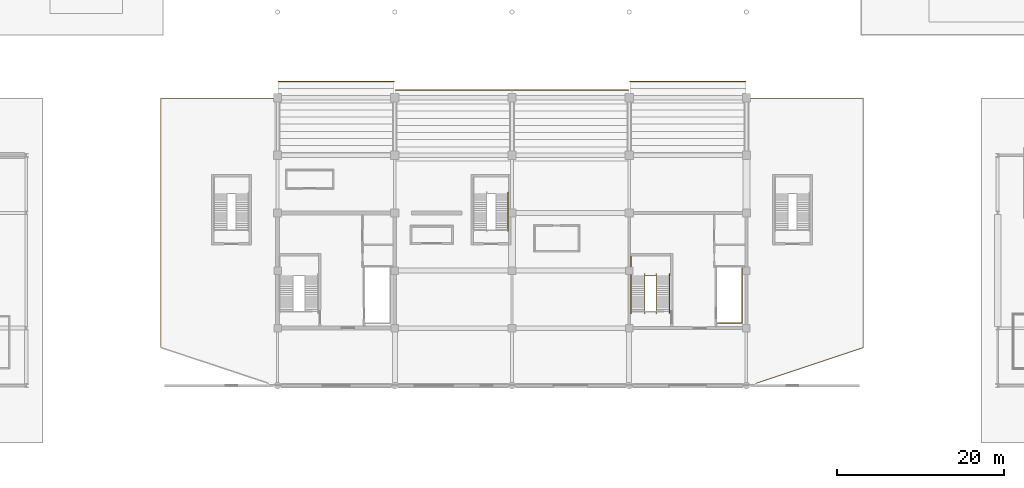
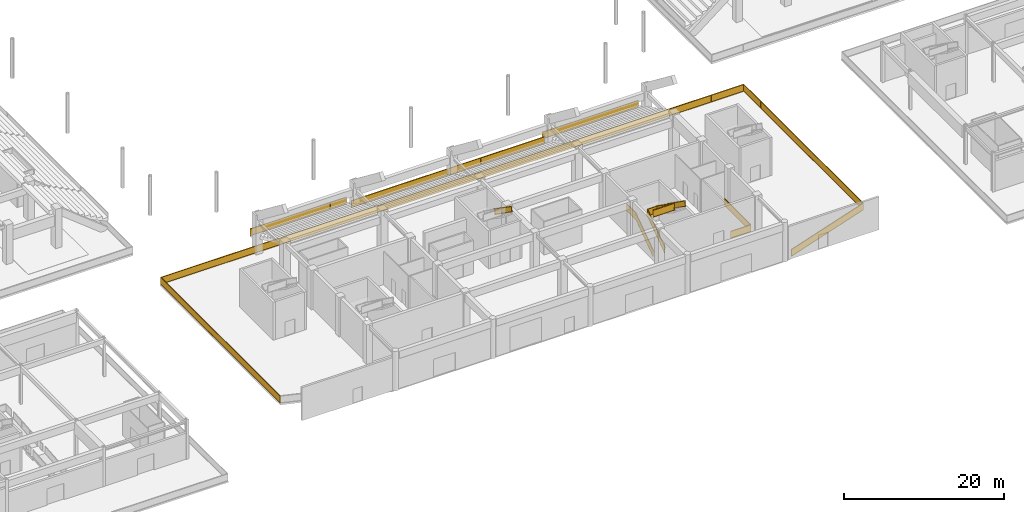
# One storey, part 60 of 73: 10 railings.
"""IFC4 building model written with IfcOpenShell, lengths in metres."""

from ifc_helpers import new_model, si_unit, direction, frame, origin, origin_2d, place, context, subcontext, project, spatial, rectangle, extrude, material, type_object, element, save


model = new_model("IFC4")

# Units and contexts
model_context = context("Model", 3, precision=1e-05, world=origin(), true_north=direction((0.0, 1.0)))
body_context = subcontext(model_context, "Body", "Model", "MODEL_VIEW")
ifc_project = project(units=[si_unit("LENGTHUNIT", "METRE"), si_unit("AREAUNIT", "SQUARE_METRE"), si_unit("VOLUMEUNIT", "CUBIC_METRE"), si_unit("PLANEANGLEUNIT", "RADIAN"), si_unit("MASSUNIT", "GRAM", prefix="KILO")], contexts=[model_context])

# Site, building, storey
site_placement = place(None, origin())
site = spatial("IfcSite", under=ifc_project, at=site_placement, CompositionType="ELEMENT")
building_placement = place(site_placement, origin())
building = spatial("IfcBuilding", under=site, at=building_placement, Name="Linyun Crest Stadium", CompositionType="ELEMENT")
storey_placement = place(building_placement, origin())
storey = spatial("IfcBuildingStorey", under=building, at=storey_placement, Name="L01", CompositionType="ELEMENT", Elevation=0.0)

# Railings
ifc_material_1 = material(Name="Galvanized and powder-coated steel bowl safety barrier", Category="steel")
railing_type_1 = type_object("IfcRailingType", Name="GR02", PredefinedType="GUARDRAIL", material=ifc_material_1)
for number, where, name in (
    (1, (-27.919921875, -57.800048828125, 1.25), "Bowl front safety guard GR02 61"),
    (2, (-13.919921875, -58.800048828125, 1.25), "Bowl front safety guard GR02 68"),
    (3, (0.080078125, -58.800048828125, 1.25), "Bowl front safety guard GR02 75"),
    (4, (14.080078125, -57.800048828125, 1.25), "Bowl front safety guard GR02 82"),
):
    element("IfcRailing", number, at=place(storey_placement, frame(where)), inside=storey, type_object=railing_type_1, Name=name, PredefinedType="GUARDRAIL", context=body_context, shape_type="SweptSolid", body=[
        extrude(rectangle(XDim=0.06005859375, YDim=0.06005859375, at=origin_2d()), frame((0.0, 0.0, 1.090087890625), z_axis=(1.0, 0.0, 0.0), x_axis=(0.0, 1.0, 0.0)), (0.0, 0.0, 1.0), 13.83984375),
        extrude(rectangle(XDim=0.030029296875, YDim=1.0, at=origin_2d()), frame((0.0, 0.0, 0.56005859375), z_axis=(1.0, 0.0, 0.0), x_axis=(0.0, 1.0, 0.0)), (0.0, 0.0, 1.0), 13.83984375),
        extrude(rectangle(XDim=0.06005859375, YDim=0.06005859375, at=origin_2d()), frame((0.0, 0.0, 0.030029296875), z_axis=(1.0, 0.0, 0.0), x_axis=(0.0, 1.0, 0.0)), (0.0, 0.0, 1.0), 13.83984375),
        extrude(rectangle(XDim=0.050048828125, YDim=0.050048828125, at=origin_2d()), origin(), (0.0, 0.0, 1.0), 1.1201171875),
        extrude(rectangle(XDim=0.050048828125, YDim=0.050048828125, at=origin_2d()), frame((2.306640625, 0.0, 0.0)), (0.0, 0.0, 1.0), 1.1201171875),
        extrude(rectangle(XDim=0.050048828125, YDim=0.050048828125, at=origin_2d()), frame((4.61328125, 0.0, 0.0)), (0.0, 0.0, 1.0), 1.1201171875),
        extrude(rectangle(XDim=0.050048828125, YDim=0.050048828125, at=origin_2d()), frame((6.919921875, 0.0, 0.0)), (0.0, 0.0, 1.0), 1.1201171875),
        extrude(rectangle(XDim=0.050048828125, YDim=0.050048828125, at=origin_2d()), frame((9.2265625, 0.0, 0.0)), (0.0, 0.0, 1.0), 1.1201171875),
        extrude(rectangle(XDim=0.050048828125, YDim=0.050048828125, at=origin_2d()), frame((11.533203125, 0.0, 0.0)), (0.0, 0.0, 1.0), 1.1201171875),
        extrude(rectangle(XDim=0.050048828125, YDim=0.050048828125, at=origin_2d()), frame((13.83984375, 0.0, 0.0)), (0.0, 0.0, 1.0), 1.1201171875),
    ])
railing_1_placement = place(storey_placement, frame((-41.93994140625, -89.58203125, 0.0)))
element("IfcRailing", 5, at=railing_1_placement, inside=storey, type_object=railing_type_1, Name="Slab edge balustrade GR02 239", PredefinedType="GUARDRAIL", context=body_context, shape_type="SweptSolid", body=[
    extrude(rectangle(XDim=0.06005859375, YDim=0.06005859375, at=origin_2d()), frame((0.0, 0.0, 1.090087890625), z_axis=(0.0, 1.0, 0.0), x_axis=(-1.0, 0.0, 0.0)), (0.0, 0.0, 1.0), 29.77197265625),
    extrude(rectangle(XDim=0.030029296875, YDim=1.0, at=origin_2d()), frame((0.0, 0.0, 0.56005859375), z_axis=(0.0, 1.0, 0.0), x_axis=(-1.0, 0.0, 0.0)), (0.0, 0.0, 1.0), 29.77197265625),
    extrude(rectangle(XDim=0.06005859375, YDim=0.06005859375, at=origin_2d()), frame((0.0, 0.0, 0.030029296875), z_axis=(0.0, 1.0, 0.0), x_axis=(-1.0, 0.0, 0.0)), (0.0, 0.0, 1.0), 29.77197265625),
    extrude(rectangle(XDim=0.06005859375, YDim=0.06005859375, at=origin_2d()), frame((0.0, 29.77197265625, 1.090087890625), z_axis=(1.0, 0.0, 0.0), x_axis=(0.0, 1.0, 0.0)), (0.0, 0.0, 1.0), 83.8798828125),
    extrude(rectangle(XDim=0.030029296875, YDim=1.0, at=origin_2d()), frame((0.0, 29.77197265625, 0.56005859375), z_axis=(1.0, 0.0, 0.0), x_axis=(0.0, 1.0, 0.0)), (0.0, 0.0, 1.0), 83.8798828125),
    extrude(rectangle(XDim=0.06005859375, YDim=0.06005859375, at=origin_2d()), frame((0.0, 29.77197265625, 0.030029296875), z_axis=(1.0, 0.0, 0.0), x_axis=(0.0, 1.0, 0.0)), (0.0, 0.0, 1.0), 83.8798828125),
    extrude(rectangle(XDim=0.06005859375, YDim=0.06005859375, at=origin_2d()), frame((83.8798828125, 29.77197265625, 1.090087890625), z_axis=(0.0, -1.0, 0.0), x_axis=(1.0, 0.0, 0.0)), (0.0, 0.0, 1.0), 29.77197265625),
    extrude(rectangle(XDim=0.030029296875, YDim=1.0, at=origin_2d()), frame((83.8798828125, 29.77197265625, 0.56005859375), z_axis=(0.0, -1.0, 0.0), x_axis=(1.0, 0.0, 0.0)), (0.0, 0.0, 1.0), 29.77197265625),
    extrude(rectangle(XDim=0.06005859375, YDim=0.06005859375, at=origin_2d()), frame((83.8798828125, 29.77197265625, 0.030029296875), z_axis=(0.0, -1.0, 0.0), x_axis=(1.0, 0.0, 0.0)), (0.0, 0.0, 1.0), 29.77197265625),
    extrude(rectangle(XDim=0.06005859375, YDim=0.06005859375, at=origin_2d()), frame((83.8798828125, 0.0, 1.090087890625), z_axis=(-0.948692352143, -0.316200602443, 0.0), x_axis=(0.316200602443, -0.948692352143, 0.0)), (0.0, 0.0, 1.0), 13.481689453125),
    extrude(rectangle(XDim=0.030029296875, YDim=1.0, at=origin_2d()), frame((83.8798828125, 0.0, 0.56005859375), z_axis=(-0.948692352143, -0.316200602443, 0.0), x_axis=(0.316200602443, -0.948692352143, 0.0)), (0.0, 0.0, 1.0), 13.481689453125),
    extrude(rectangle(XDim=0.06005859375, YDim=0.06005859375, at=origin_2d()), frame((83.8798828125, 0.0, 0.030029296875), z_axis=(-0.948692352143, -0.316200602443, 0.0), x_axis=(0.316200602443, -0.948692352143, 0.0)), (0.0, 0.0, 1.0), 13.481689453125),
    extrude(rectangle(XDim=0.050048828125, YDim=0.050048828125, at=origin_2d()), origin(), (0.0, 0.0, 1.0), 1.1201171875),
    extrude(rectangle(XDim=0.050048828125, YDim=0.050048828125, at=origin_2d()), frame((0.0, 4.253173828125, 0.0)), (0.0, 0.0, 1.0), 1.1201171875),
    extrude(rectangle(XDim=0.050048828125, YDim=0.050048828125, at=origin_2d()), frame((0.0, 8.50634765625, 0.0)), (0.0, 0.0, 1.0), 1.1201171875),
    extrude(rectangle(XDim=0.050048828125, YDim=0.050048828125, at=origin_2d()), frame((0.0, 12.759521484375, 0.0)), (0.0, 0.0, 1.0), 1.1201171875),
    extrude(rectangle(XDim=0.050048828125, YDim=0.050048828125, at=origin_2d()), frame((0.0, 17.012451171875, 0.0)), (0.0, 0.0, 1.0), 1.1201171875),
    extrude(rectangle(XDim=0.050048828125, YDim=0.050048828125, at=origin_2d()), frame((0.0, 21.265625, 0.0)), (0.0, 0.0, 1.0), 1.1201171875),
    extrude(rectangle(XDim=0.050048828125, YDim=0.050048828125, at=origin_2d()), frame((0.0, 25.518798828125, 0.0)), (0.0, 0.0, 1.0), 1.1201171875),
    extrude(rectangle(XDim=0.050048828125, YDim=0.050048828125, at=origin_2d()), frame((0.0, 29.77197265625, 0.0)), (0.0, 0.0, 1.0), 1.1201171875),
    extrude(rectangle(XDim=0.050048828125, YDim=0.050048828125, at=origin_2d()), frame((4.659912109375, 29.77197265625, 0.0)), (0.0, 0.0, 1.0), 1.1201171875),
    extrude(rectangle(XDim=0.050048828125, YDim=0.050048828125, at=origin_2d()), frame((9.320068359375, 29.77197265625, 0.0)), (0.0, 0.0, 1.0), 1.1201171875),
    extrude(rectangle(XDim=0.050048828125, YDim=0.050048828125, at=origin_2d()), frame((13.97998046875, 29.77197265625, 0.0)), (0.0, 0.0, 1.0), 1.1201171875),
    extrude(rectangle(XDim=0.050048828125, YDim=0.050048828125, at=origin_2d()), frame((18.639892578125, 29.77197265625, 0.0)), (0.0, 0.0, 1.0), 1.1201171875),
    extrude(rectangle(XDim=0.050048828125, YDim=0.050048828125, at=origin_2d()), frame((23.300048828125, 29.77197265625, 0.0)), (0.0, 0.0, 1.0), 1.1201171875),
    extrude(rectangle(XDim=0.050048828125, YDim=0.050048828125, at=origin_2d()), frame((27.9599609375, 29.77197265625, 0.0)), (0.0, 0.0, 1.0), 1.1201171875),
    extrude(rectangle(XDim=0.050048828125, YDim=0.050048828125, at=origin_2d()), frame((32.619873046875, 29.77197265625, 0.0)), (0.0, 0.0, 1.0), 1.1201171875),
    extrude(rectangle(XDim=0.050048828125, YDim=0.050048828125, at=origin_2d()), frame((37.280029296875, 29.77197265625, 0.0)), (0.0, 0.0, 1.0), 1.1201171875),
    extrude(rectangle(XDim=0.050048828125, YDim=0.050048828125, at=origin_2d()), frame((41.93994140625, 29.77197265625, 0.0)), (0.0, 0.0, 1.0), 1.1201171875),
    extrude(rectangle(XDim=0.050048828125, YDim=0.050048828125, at=origin_2d()), frame((46.599853515625, 29.77197265625, 0.0)), (0.0, 0.0, 1.0), 1.1201171875),
    extrude(rectangle(XDim=0.050048828125, YDim=0.050048828125, at=origin_2d()), frame((51.260009765625, 29.77197265625, 0.0)), (0.0, 0.0, 1.0), 1.1201171875),
    extrude(rectangle(XDim=0.050048828125, YDim=0.050048828125, at=origin_2d()), frame((55.919921875, 29.77197265625, 0.0)), (0.0, 0.0, 1.0), 1.1201171875),
    extrude(rectangle(XDim=0.050048828125, YDim=0.050048828125, at=origin_2d()), frame((60.579833984375, 29.77197265625, 0.0)), (0.0, 0.0, 1.0), 1.1201171875),
    extrude(rectangle(XDim=0.050048828125, YDim=0.050048828125, at=origin_2d()), frame((65.239990234375, 29.77197265625, 0.0)), (0.0, 0.0, 1.0), 1.1201171875),
    extrude(rectangle(XDim=0.050048828125, YDim=0.050048828125, at=origin_2d()), frame((69.89990234375, 29.77197265625, 0.0)), (0.0, 0.0, 1.0), 1.1201171875),
    extrude(rectangle(XDim=0.050048828125, YDim=0.050048828125, at=origin_2d()), frame((74.559814453125, 29.77197265625, 0.0)), (0.0, 0.0, 1.0), 1.1201171875),
    extrude(rectangle(XDim=0.050048828125, YDim=0.050048828125, at=origin_2d()), frame((79.219970703125, 29.77197265625, 0.0)), (0.0, 0.0, 1.0), 1.1201171875),
    extrude(rectangle(XDim=0.050048828125, YDim=0.050048828125, at=origin_2d()), frame((83.8798828125, 29.77197265625, 0.0)), (0.0, 0.0, 1.0), 1.1201171875),
    extrude(rectangle(XDim=0.050048828125, YDim=0.050048828125, at=origin_2d()), frame((83.8798828125, 25.518798828125, 0.0)), (0.0, 0.0, 1.0), 1.1201171875),
    extrude(rectangle(XDim=0.050048828125, YDim=0.050048828125, at=origin_2d()), frame((83.8798828125, 21.265625, 0.0)), (0.0, 0.0, 1.0), 1.1201171875),
    extrude(rectangle(XDim=0.050048828125, YDim=0.050048828125, at=origin_2d()), frame((83.8798828125, 17.012451171875, 0.0)), (0.0, 0.0, 1.0), 1.1201171875),
    extrude(rectangle(XDim=0.050048828125, YDim=0.050048828125, at=origin_2d()), frame((83.8798828125, 12.759521484375, 0.0)), (0.0, 0.0, 1.0), 1.1201171875),
    extrude(rectangle(XDim=0.050048828125, YDim=0.050048828125, at=origin_2d()), frame((83.8798828125, 8.50634765625, 0.0)), (0.0, 0.0, 1.0), 1.1201171875),
    extrude(rectangle(XDim=0.050048828125, YDim=0.050048828125, at=origin_2d()), frame((83.8798828125, 4.253173828125, 0.0)), (0.0, 0.0, 1.0), 1.1201171875),
    extrude(rectangle(XDim=0.050048828125, YDim=0.050048828125, at=origin_2d()), frame((83.8798828125, 0.0, 0.0)), (0.0, 0.0, 1.0), 1.1201171875),
    extrude(rectangle(XDim=0.050048828125, YDim=0.050048828125, at=origin_2d()), frame((79.616455078125, -1.4208984375, 0.0)), (0.0, 0.0, 1.0), 1.1201171875),
    extrude(rectangle(XDim=0.050048828125, YDim=0.050048828125, at=origin_2d()), frame((75.353271484375, -2.842041015625, 0.0)), (0.0, 0.0, 1.0), 1.1201171875),
    extrude(rectangle(XDim=0.050048828125, YDim=0.050048828125, at=origin_2d()), frame((71.08984375, -4.262939453125, 0.0)), (0.0, 0.0, 1.0), 1.1201171875),
])
railing_2_placement = place(storey_placement, frame((24.580078125, -86.659912109375, 0.0)))
element("IfcRailing", 6, at=railing_2_placement, inside=storey, type_object=railing_type_1, Name="Slab edge balustrade GR02 247", PredefinedType="GUARDRAIL", context=body_context, shape_type="SweptSolid", body=[
    extrude(rectangle(XDim=0.06005859375, YDim=0.06005859375, at=origin_2d()), frame((0.0, 0.0, 1.090087890625), z_axis=(1.0, 0.0, 0.0), x_axis=(0.0, 1.0, 0.0)), (0.0, 0.0, 1.0), 2.8798828125),
    extrude(rectangle(XDim=0.030029296875, YDim=1.0, at=origin_2d()), frame((0.0, 0.0, 0.56005859375), z_axis=(1.0, 0.0, 0.0), x_axis=(0.0, 1.0, 0.0)), (0.0, 0.0, 1.0), 2.8798828125),
    extrude(rectangle(XDim=0.06005859375, YDim=0.06005859375, at=origin_2d()), frame((0.0, 0.0, 0.030029296875), z_axis=(1.0, 0.0, 0.0), x_axis=(0.0, 1.0, 0.0)), (0.0, 0.0, 1.0), 2.8798828125),
    extrude(rectangle(XDim=0.06005859375, YDim=0.06005859375, at=origin_2d()), frame((2.8798828125, 0.0, 1.090087890625), z_axis=(0.0, 1.0, 0.0), x_axis=(-1.0, 0.0, 0.0)), (0.0, 0.0, 1.0), 6.5498046875),
    extrude(rectangle(XDim=0.030029296875, YDim=1.0, at=origin_2d()), frame((2.8798828125, 0.0, 0.56005859375), z_axis=(0.0, 1.0, 0.0), x_axis=(-1.0, 0.0, 0.0)), (0.0, 0.0, 1.0), 6.5498046875),
    extrude(rectangle(XDim=0.06005859375, YDim=0.06005859375, at=origin_2d()), frame((2.8798828125, 0.0, 0.030029296875), z_axis=(0.0, 1.0, 0.0), x_axis=(-1.0, 0.0, 0.0)), (0.0, 0.0, 1.0), 6.5498046875),
    extrude(rectangle(XDim=0.050048828125, YDim=0.050048828125, at=origin_2d()), origin(), (0.0, 0.0, 1.0), 1.1201171875),
    extrude(rectangle(XDim=0.050048828125, YDim=0.050048828125, at=origin_2d()), frame((2.8798828125, 0.0, 0.0)), (0.0, 0.0, 1.0), 1.1201171875),
    extrude(rectangle(XDim=0.050048828125, YDim=0.050048828125, at=origin_2d()), frame((2.8798828125, 3.27490234375, 0.0)), (0.0, 0.0, 1.0), 1.1201171875),
    extrude(rectangle(XDim=0.050048828125, YDim=0.050048828125, at=origin_2d()), frame((2.8798828125, 6.5498046875, 0.0)), (0.0, 0.0, 1.0), 1.1201171875),
])
ifc_material_2 = material(Name="Painted steel stairwell safety guard", Category="steel")
railing_type_2 = type_object("IfcRailingType", Name="GR03", PredefinedType="GUARDRAIL", material=ifc_material_2)
railing_3_placement = place(storey_placement, frame((14.205078125, -85.260009765625, 0.0)))
element("IfcRailing", 7, at=railing_3_placement, inside=storey, type_object=railing_type_2, Name="STR-10-L01 outer guard", PredefinedType="GUARDRAIL", context=body_context, shape_type="SweptSolid", body=[
    extrude(rectangle(XDim=0.06005859375, YDim=0.06005859375, at=origin_2d()), frame((0.0, 0.0, 1.090087890625), z_axis=(0.0, 0.816967863265, 0.576683197599), x_axis=(-1.0, 0.0, 0.0)), (0.0, 0.0, 1.0), 5.2021484375),
    extrude(rectangle(XDim=0.030029296875, YDim=1.0, at=origin_2d()), frame((0.0, 0.0, 0.56005859375), z_axis=(0.0, 0.816967863265, 0.576683197599), x_axis=(-1.0, 0.0, 0.0)), (0.0, 0.0, 1.0), 5.2021484375),
    extrude(rectangle(XDim=0.06005859375, YDim=0.06005859375, at=origin_2d()), frame((0.0, 0.0, 0.030029296875), z_axis=(0.0, 0.816967863265, 0.576683197599), x_axis=(-1.0, 0.0, 0.0)), (0.0, 0.0, 1.0), 5.2021484375),
    extrude(rectangle(XDim=0.06005859375, YDim=0.06005859375, at=origin_2d()), frame((0.0, 4.25, 4.090087890625), z_axis=(0.0, 1.0, 0.0), x_axis=(-1.0, 0.0, 0.0)), (0.0, 0.0, 1.0), 2.330078125),
    extrude(rectangle(XDim=0.030029296875, YDim=1.0, at=origin_2d()), frame((0.0, 4.25, 3.56005859375), z_axis=(0.0, 1.0, 0.0), x_axis=(-1.0, 0.0, 0.0)), (0.0, 0.0, 1.0), 2.330078125),
    extrude(rectangle(XDim=0.06005859375, YDim=0.06005859375, at=origin_2d()), frame((0.0, 4.25, 3.030029296875), z_axis=(0.0, 1.0, 0.0), x_axis=(-1.0, 0.0, 0.0)), (0.0, 0.0, 1.0), 2.330078125),
    extrude(rectangle(XDim=0.050048828125, YDim=0.050048828125, at=origin_2d()), origin(), (0.0, 0.0, 1.0), 1.1201171875),
    extrude(rectangle(XDim=0.050048828125, YDim=0.050048828125, at=origin_2d()), frame((0.0, 1.416748046875, 1.0)), (0.0, 0.0, 1.0), 1.1201171875),
    extrude(rectangle(XDim=0.050048828125, YDim=0.050048828125, at=origin_2d()), frame((0.0, 2.833251953125, 2.0)), (0.0, 0.0, 1.0), 1.1201171875),
    extrude(rectangle(XDim=0.050048828125, YDim=0.050048828125, at=origin_2d()), frame((0.0, 4.25, 3.0)), (0.0, 0.0, 1.0), 1.1201171875),
    extrude(rectangle(XDim=0.050048828125, YDim=0.050048828125, at=origin_2d()), frame((0.0, 5.4150390625, 3.0)), (0.0, 0.0, 1.0), 1.1201171875),
    extrude(rectangle(XDim=0.050048828125, YDim=0.050048828125, at=origin_2d()), frame((0.0, 6.580078125, 3.0)), (0.0, 0.0, 1.0), 1.1201171875),
])
railing_4_placement = place(storey_placement, frame((15.844970703125, -85.280029296875, 0.0)))
element("IfcRailing", 8, at=railing_4_placement, inside=storey, type_object=railing_type_2, Name="STR-10-L01 inner well guard", PredefinedType="GUARDRAIL", context=body_context, shape_type="SweptSolid", body=[
    extrude(rectangle(XDim=0.06005859375, YDim=0.06005859375, at=origin_2d()), frame((0.0, 0.0, 1.090087890625), z_axis=(0.0, 0.818241657069, 0.574874412926), x_axis=(-1.0, 0.0, 0.0)), (0.0, 0.0, 1.0), 5.218505859375),
    extrude(rectangle(XDim=0.030029296875, YDim=1.0, at=origin_2d()), frame((0.0, 0.0, 0.56005859375), z_axis=(0.0, 0.818241657069, 0.574874412926), x_axis=(-1.0, 0.0, 0.0)), (0.0, 0.0, 1.0), 5.218505859375),
    extrude(rectangle(XDim=0.06005859375, YDim=0.06005859375, at=origin_2d()), frame((0.0, 0.0, 0.030029296875), z_axis=(0.0, 0.818241657069, 0.574874412926), x_axis=(-1.0, 0.0, 0.0)), (0.0, 0.0, 1.0), 5.218505859375),
    extrude(rectangle(XDim=0.06005859375, YDim=0.06005859375, at=origin_2d()), frame((0.0, 4.27001953125, 4.090087890625), z_axis=(1.0, 0.0, 0.0), x_axis=(0.0, 1.0, 0.0)), (0.0, 0.0, 1.0), 1.385009765625),
    extrude(rectangle(XDim=0.030029296875, YDim=1.0, at=origin_2d()), frame((0.0, 4.27001953125, 3.56005859375), z_axis=(1.0, 0.0, 0.0), x_axis=(0.0, 1.0, 0.0)), (0.0, 0.0, 1.0), 1.385009765625),
    extrude(rectangle(XDim=0.06005859375, YDim=0.06005859375, at=origin_2d()), frame((0.0, 4.27001953125, 3.030029296875), z_axis=(1.0, 0.0, 0.0), x_axis=(0.0, 1.0, 0.0)), (0.0, 0.0, 1.0), 1.385009765625),
    extrude(rectangle(XDim=0.06005859375, YDim=0.06005859375, at=origin_2d()), frame((1.385009765625, 4.27001953125, 4.090087890625), z_axis=(0.0, -0.818241657069, 0.574874412926), x_axis=(1.0, 0.0, 0.0)), (0.0, 0.0, 1.0), 5.218505859375),
    extrude(rectangle(XDim=0.030029296875, YDim=1.0, at=origin_2d()), frame((1.385009765625, 4.27001953125, 3.56005859375), z_axis=(0.0, -0.818241657069, 0.574874412926), x_axis=(1.0, 0.0, 0.0)), (0.0, 0.0, 1.0), 5.218505859375),
    extrude(rectangle(XDim=0.06005859375, YDim=0.06005859375, at=origin_2d()), frame((1.385009765625, 4.27001953125, 3.030029296875), z_axis=(0.0, -0.818241657069, 0.574874412926), x_axis=(1.0, 0.0, 0.0)), (0.0, 0.0, 1.0), 5.218505859375),
    extrude(rectangle(XDim=0.06005859375, YDim=0.06005859375, at=origin_2d()), frame((1.385009765625, 0.0, 7.090087890625), z_axis=(-1.0, 0.0, 0.0), x_axis=(0.0, -1.0, 0.0)), (0.0, 0.0, 1.0), 3.034912109375),
    extrude(rectangle(XDim=0.030029296875, YDim=1.0, at=origin_2d()), frame((1.385009765625, 0.0, 6.56005859375), z_axis=(-1.0, 0.0, 0.0), x_axis=(0.0, -1.0, 0.0)), (0.0, 0.0, 1.0), 3.034912109375),
    extrude(rectangle(XDim=0.06005859375, YDim=0.06005859375, at=origin_2d()), frame((1.385009765625, 0.0, 6.030029296875), z_axis=(-1.0, 0.0, 0.0), x_axis=(0.0, -1.0, 0.0)), (0.0, 0.0, 1.0), 3.034912109375),
    extrude(rectangle(XDim=0.050048828125, YDim=0.050048828125, at=origin_2d()), origin(), (0.0, 0.0, 1.0), 1.1201171875),
    extrude(rectangle(XDim=0.050048828125, YDim=0.050048828125, at=origin_2d()), frame((0.0, 1.42333984375, 1.0)), (0.0, 0.0, 1.0), 1.1201171875),
    extrude(rectangle(XDim=0.050048828125, YDim=0.050048828125, at=origin_2d()), frame((0.0, 2.8466796875, 2.0)), (0.0, 0.0, 1.0), 1.1201171875),
    extrude(rectangle(XDim=0.050048828125, YDim=0.050048828125, at=origin_2d()), frame((0.0, 4.27001953125, 3.0)), (0.0, 0.0, 1.0), 1.1201171875),
    extrude(rectangle(XDim=0.050048828125, YDim=0.050048828125, at=origin_2d()), frame((1.385009765625, 4.27001953125, 3.0)), (0.0, 0.0, 1.0), 1.1201171875),
    extrude(rectangle(XDim=0.050048828125, YDim=0.050048828125, at=origin_2d()), frame((1.385009765625, 2.8466796875, 4.0)), (0.0, 0.0, 1.0), 1.1201171875),
    extrude(rectangle(XDim=0.050048828125, YDim=0.050048828125, at=origin_2d()), frame((1.385009765625, 1.42333984375, 5.0)), (0.0, 0.0, 1.0), 1.1201171875),
    extrude(rectangle(XDim=0.050048828125, YDim=0.050048828125, at=origin_2d()), frame((1.385009765625, 0.0, 6.0)), (0.0, 0.0, 1.0), 1.1201171875),
    extrude(rectangle(XDim=0.050048828125, YDim=0.050048828125, at=origin_2d()), frame((-0.13232421875, 0.0, 6.0)), (0.0, 0.0, 1.0), 1.1201171875),
    extrude(rectangle(XDim=0.050048828125, YDim=0.050048828125, at=origin_2d()), frame((-1.64990234375, 0.0, 6.0)), (0.0, 0.0, 1.0), 1.1201171875),
])
ifc_material_3 = material(Name="Brushed stainless steel tubular handrail", Category="steel")
railing_type_3 = type_object("IfcRailingType", Name="HR01", PredefinedType="HANDRAIL", material=ifc_material_3)
for number, where, name in (
    (9, (18.820068359375, -81.010009765625, 3.0), "STR-10-L01 handrail"),
    (10, (-0.47998046875, -71.22998046875, 3.0), "STR-28-L01 handrail"),
):
    element("IfcRailing", number, at=place(storey_placement, frame(where)), inside=storey, type_object=railing_type_3, Name=name, PredefinedType="HANDRAIL", context=body_context, shape_type="SweptSolid", body=[
        extrude(rectangle(XDim=0.06005859375, YDim=0.06005859375, at=origin_2d()), frame((0.0, 0.0, 0.889892578125), z_axis=(0.0, -0.816967863265, 0.576683197599), x_axis=(1.0, 0.0, 0.0)), (0.0, 0.0, 1.0), 5.2021484375),
        extrude(rectangle(XDim=0.030029296875, YDim=0.7998046875, at=origin_2d()), frame((0.0, 0.0, 0.4599609375), z_axis=(0.0, -0.816967863265, 0.576683197599), x_axis=(1.0, 0.0, 0.0)), (0.0, 0.0, 1.0), 5.2021484375),
        extrude(rectangle(XDim=0.06005859375, YDim=0.06005859375, at=origin_2d()), frame((0.0, 0.0, 0.030029296875), z_axis=(0.0, -0.816967863265, 0.576683197599), x_axis=(1.0, 0.0, 0.0)), (0.0, 0.0, 1.0), 5.2021484375),
        extrude(rectangle(XDim=0.050048828125, YDim=0.050048828125, at=origin_2d()), origin(), (0.0, 0.0, 1.0), 0.919921875),
        extrude(rectangle(XDim=0.050048828125, YDim=0.050048828125, at=origin_2d()), frame((0.0, -1.416748046875, 1.0)), (0.0, 0.0, 1.0), 0.919921875),
        extrude(rectangle(XDim=0.050048828125, YDim=0.050048828125, at=origin_2d()), frame((0.0, -2.833251953125, 2.0)), (0.0, 0.0, 1.0), 0.919921875),
        extrude(rectangle(XDim=0.050048828125, YDim=0.050048828125, at=origin_2d()), frame((0.0, -4.25, 3.0)), (0.0, 0.0, 1.0), 0.919921875),
    ])

save(model, "model.ifc")
